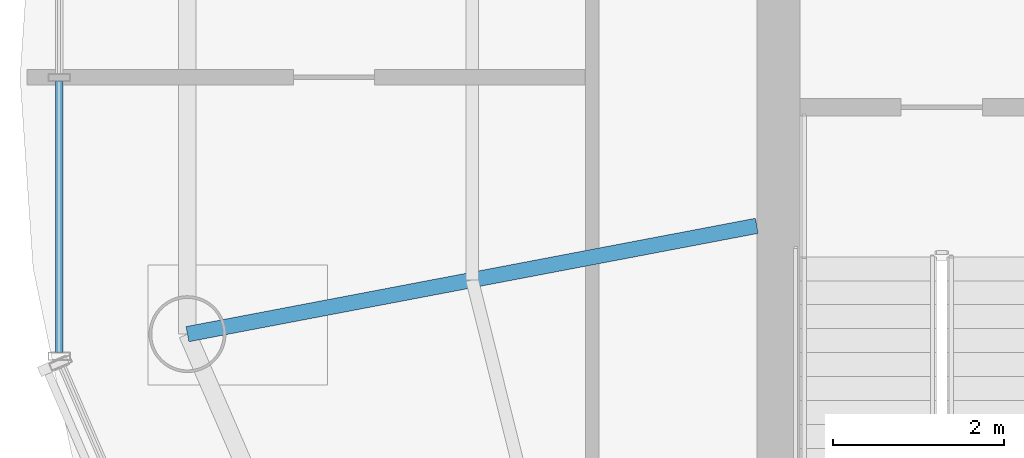
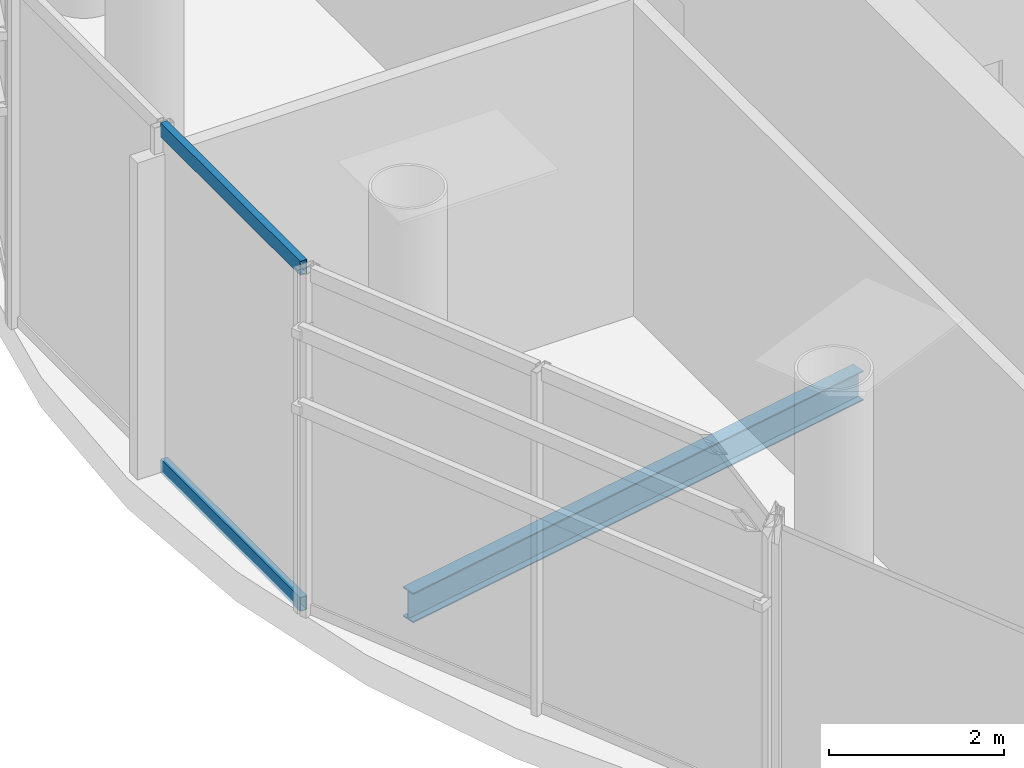
# One storey, part 3 of 15: 2 members, 1 beam, 1 element without a shape of its own.
"""IFC4 building model written with IfcOpenShell, lengths in metres."""

from ifc_helpers import new_model, si_unit, direction, frame, origin, origin_2d, place, context, subcontext, project, spatial, hollow_rectangle, i_section, extrude, source, transform, mapped, material, material_profile, profile_set, type_object, element, aggregate, save


model = new_model("IFC4")

# Units and contexts
model_context = context("Model", 3, precision=1e-05, world=origin(), true_north=direction((-0.2419218956, 0.970295726276)))
body_context = subcontext(model_context, "Body", "Model", "MODEL_VIEW")
ifc_project = project(units=[si_unit("LENGTHUNIT", "METRE"), si_unit("AREAUNIT", "SQUARE_METRE"), si_unit("VOLUMEUNIT", "CUBIC_METRE"), si_unit("PLANEANGLEUNIT", "RADIAN"), si_unit("MASSUNIT", "GRAM", prefix="KILO")], contexts=[model_context])

# Site, building, storey
site_placement = place(None, origin())
site = spatial("IfcSite", under=ifc_project, at=site_placement, CompositionType="ELEMENT")
building_placement = place(site_placement, origin())
building = spatial("IfcBuilding", under=site, at=building_placement, Name="Cobrevalo Terracotta Tower", CompositionType="ELEMENT")
storey_placement = place(building_placement, frame((0.0, 0.0, 316.5)))
storey = spatial("IfcBuildingStorey", under=building, at=storey_placement, Name="L82", CompositionType="ELEMENT", Elevation=316.5)

# Beam
ifc_material_1 = material(Name="Steel S355", Category="steel")
ifc_material_profile_1 = material_profile(ifc_material_1, i_section(OverallWidth=0.179931640625, OverallDepth=0.4130859375, WebThickness=0.009765625, FlangeThickness=0.01611328125, at=origin_2d()), Name="W 410x75")
ifc_profile_set_1 = profile_set([ifc_material_profile_1], Name="Steel S355")
beam_type = type_object("IfcBeamType", Name="Structural Beam W 410x75 (Steel S355)", PredefinedType="BEAM", material=ifc_profile_set_1)
beam_placement = place(storey_placement, frame((22.20947265625, 23.795654296875, -0.62646484375), z_axis=(0.982375422254, 0.186918510993, 0.0), x_axis=(-0.186918510993, 0.982375422254, 0.0)))
element("IfcBeam", 1, at=beam_placement, inside=storey, type_object=beam_type, Name="L82 radial floor girder 09", PredefinedType="BEAM", context=body_context, shape_type="SweptSolid", body=[
    extrude(i_section(OverallWidth=0.179931640625, OverallDepth=0.4130859375, WebThickness=0.009765625, FlangeThickness=0.01611328125, at=origin_2d()), origin(), (0.0, 0.0, 1.0), 6.780029296875),
])

# Curtain wall, members
ifc_material_2 = material(Name="Anodized aluminium", Category="aluminium")
curtain_wall_type = type_object("IfcCurtainWallType", Name="Faceted glass-point crown structural glazing system CW-CR", PredefinedType="NOTDEFINED", material=ifc_material_2)
curtain_wall_placement = place(storey_placement, origin())
curtain_wall = element("IfcCurtainWall", 2, at=curtain_wall_placement, inside=storey, type_object=curtain_wall_type, Name="L82 curtain wall CW-CRN-L82-S08", PredefinedType="NOTDEFINED")
ifc_material_profile_2 = material_profile(ifc_material_2, hollow_rectangle(XDim=0.090087890625, YDim=0.195068359375, WallThickness=0.005615234375, at=origin_2d()), Name="CWT 90x195")
ifc_profile_set_2 = profile_set([ifc_material_profile_2], Name="Anodized aluminium")
member_type = type_object("IfcMemberType", Name="Crown structural aluminium transom 90x195", PredefinedType="USERDEFINED", material=ifc_profile_set_2)
shared_shape = source(origin(), body_context, "Body", "SweptSolid", [
    extrude(hollow_rectangle(XDim=0.090087890625, YDim=0.195068359375, WallThickness=0.005615234375, at=origin_2d()), origin(), (0.0, 0.0, 1.0), 3.182861328125),
])
member_1_placement = place(storey_placement, frame((20.708740234375, 26.760009765625, 0.050048828125), z_axis=(0.0, -1.0, 0.0), x_axis=(1.0, 0.0, 0.0)))
member_1 = element("IfcMember", 3, at=member_1_placement, type_object=member_type, Name="CW-CRN-L82-S08 transom B02-T1", ObjectType="TRANSOM", PredefinedType="USERDEFINED", context=body_context, shape_type="MappedRepresentation", body=[
    mapped(shared_shape, transform((0.0, 0.0, 0.0), scale=1.0)),
])
member_2_placement = place(storey_placement, frame((20.708740234375, 26.760009765625, 4.72998046875), z_axis=(0.0, -1.0, 0.0), x_axis=(1.0, 0.0, 0.0)))
member_2 = element("IfcMember", 4, at=member_2_placement, type_object=member_type, Name="CW-CRN-L82-S08 transom B02-T2", ObjectType="TRANSOM", PredefinedType="USERDEFINED", context=body_context, shape_type="MappedRepresentation", body=[
    mapped(shared_shape, transform((0.0, 0.0, 0.0), scale=1.0)),
])
aggregate(curtain_wall, [member_1, member_2])

save(model, "model.ifc")
